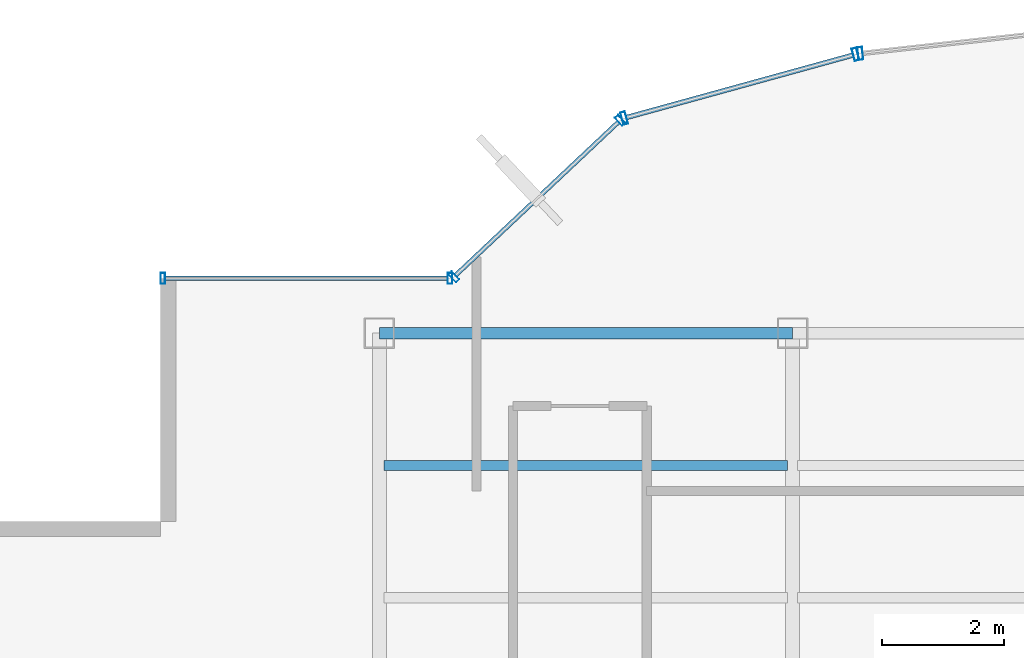
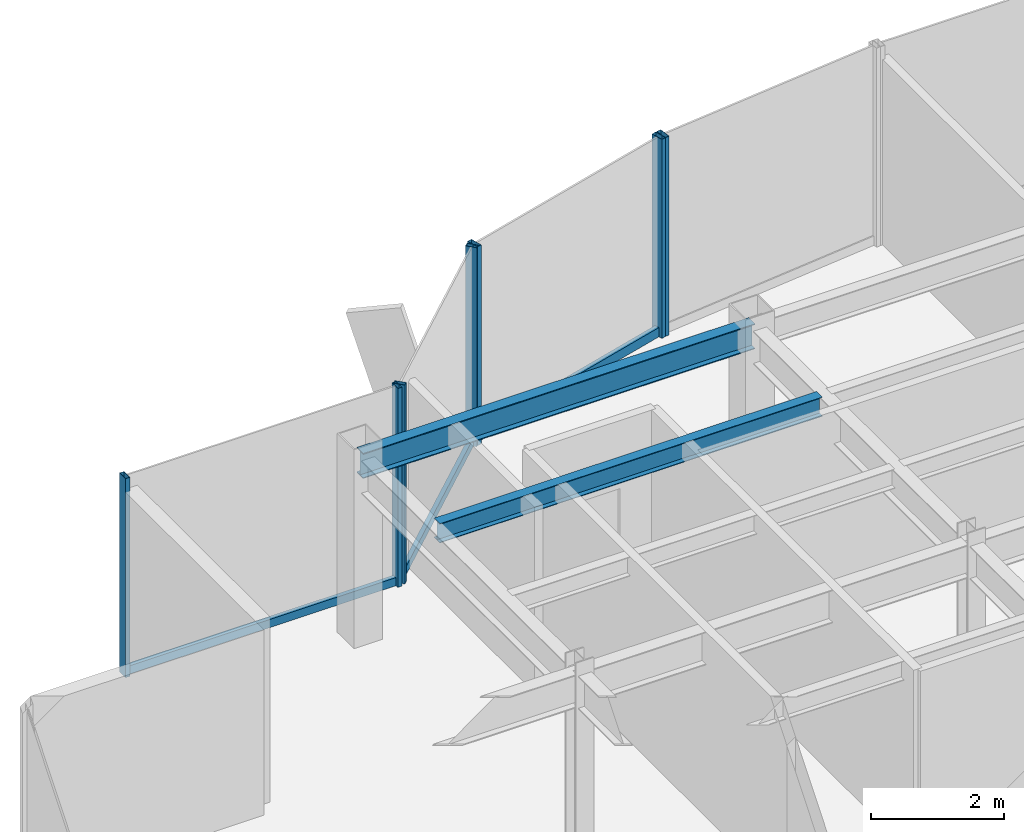
# One storey, part 12 of 22: 10 members, 2 beams, 4 elements without a shape of their own.
"""IFC4 building model written with IfcOpenShell, lengths in metres."""

from ifc_helpers import new_model, si_unit, derived_unit, direction, frame, origin, origin_2d, place, context, subcontext, project, spatial, hollow_rectangle, i_section, extrude, source, transform, mapped, material, material_profile, profile_set, type_object, element, aggregate, save


model = new_model("IFC4")

# Units and contexts
model_context = context("Model", 3, precision=1e-05, world=origin(), true_north=direction((0.0, 1.0)))
body_context = subcontext(model_context, "Body", "Model", "MODEL_VIEW")
ifc_project = project(units=[si_unit("LENGTHUNIT", "METRE"), si_unit("AREAUNIT", "SQUARE_METRE"), si_unit("VOLUMEUNIT", "CUBIC_METRE"), si_unit("PLANEANGLEUNIT", "RADIAN"), si_unit("MASSUNIT", "GRAM", prefix="KILO"), derived_unit("THERMALTRANSMITTANCEUNIT", [(si_unit("POWERUNIT", "WATT"), 1), (si_unit("LENGTHUNIT", "METRE"), -2), (si_unit("THERMODYNAMICTEMPERATUREUNIT", "KELVIN"), -1)])], contexts=[model_context])

# Site, building, storey
site_placement = place(None, origin())
site = spatial("IfcSite", under=ifc_project, at=site_placement, CompositionType="ELEMENT")
building_placement = place(site_placement, origin())
building = spatial("IfcBuilding", under=site, at=building_placement, Name="Skarnbrae Concourse Arena and Tower", CompositionType="ELEMENT")
storey_placement = place(building_placement, frame((0.0, 0.0, 210.5)))
storey = spatial("IfcBuildingStorey", under=building, at=storey_placement, Name="L54", CompositionType="ELEMENT", Elevation=210.5)

# Beams
ifc_material_1 = material(Name="Steel CSA G40.21 350W", Category="steel")
ifc_material_profile_1 = material_profile(ifc_material_1, i_section(OverallWidth=0.19091796875, OverallDepth=0.4599609375, WebThickness=0.010009765625, FlangeThickness=0.01611328125, at=origin_2d()), Name="W460X82")
ifc_profile_set_1 = profile_set([ifc_material_profile_1], Name="Steel CSA G40.21 350W")
beam_type_1 = type_object("IfcBeamType", Name="BM-SPAN-W460X82", PredefinedType="SPANDREL", material=ifc_profile_set_1)
shared_shape_1 = source(origin(), body_context, "Body", "SweptSolid", [
    extrude(i_section(OverallWidth=0.19091796875, OverallDepth=0.4599609375, WebThickness=0.010009765625, FlangeThickness=0.01611328125, at=origin_2d()), origin(), (0.0, 0.0, 1.0), 6.7998046875),
])
beam_1_placement = place(storey_placement, frame((7.60009765625, 34.39990234375, 3.169921875), z_axis=(1.0, 0.0, 0.0), x_axis=(0.0, 1.0, 0.0)))
element("IfcBeam", 1, at=beam_1_placement, inside=storey, type_object=beam_type_1, Name="L54 Perimeter spandrel Y34.4-1", PredefinedType="SPANDREL", context=body_context, shape_type="MappedRepresentation", body=[
    mapped(shared_shape_1, transform((0.0, 0.0, 0.0))),
])
ifc_material_profile_2 = material_profile(ifc_material_1, i_section(OverallWidth=0.1708984375, OverallDepth=0.35498046875, WebThickness=0.007080078125, FlangeThickness=0.01171875, at=origin_2d()), Name="W360X51")
ifc_profile_set_2 = profile_set([ifc_material_profile_2], Name="Steel CSA G40.21 350W")
beam_type_2 = type_object("IfcBeamType", Name="BM-JOIST-W360X51", PredefinedType="JOIST", material=ifc_profile_set_2)
shared_shape_2 = source(origin(), body_context, "Body", "SweptSolid", [
    extrude(i_section(OverallWidth=0.1708984375, OverallDepth=0.35498046875, WebThickness=0.007080078125, FlangeThickness=0.01171875, at=origin_2d()), origin(), (0.0, 0.0, 1.0), 6.64013671875),
])
beam_2_placement = place(storey_placement, frame((7.679931640625, 32.221923828125, 3.222412109375), z_axis=(1.0, 0.0, 0.0), x_axis=(0.0, 1.0, 0.0)))
element("IfcBeam", 2, at=beam_2_placement, inside=storey, type_object=beam_type_2, Name="L54 Secondary floor joist 3.2.1", PredefinedType="JOIST", context=body_context, shape_type="MappedRepresentation", body=[
    mapped(shared_shape_2, transform((0.0, 0.0, 0.0))),
])

# Curtain wall, member
ifc_material_2 = material(Name="Bronze anodised aluminium 6063-T6", Category="aluminium")
curtain_wall_type_1 = type_object("IfcCurtainWallType", Name="CW-SYS-03-PORTAL", PredefinedType="USERDEFINED", material=ifc_material_2)
curtain_wall_1_placement = place(storey_placement, origin())
curtain_wall_1 = element("IfcCurtainWall", 3, at=curtain_wall_1_placement, inside=storey, type_object=curtain_wall_type_1, Name="L54 Unitised curtain wall CW-L54-E12", ObjectType="UNITISED CURTAIN WALL", PredefinedType="USERDEFINED")
ifc_material_profile_3 = material_profile(ifc_material_2, hollow_rectangle(XDim=0.080078125, YDim=0.2099609375, WallThickness=0.00439453125, at=origin_2d()), Name="ALU-MULL-80X210")
ifc_profile_set_3 = profile_set([ifc_material_profile_3], Name="Bronze anodised aluminium 6063-T6")
member_type_1 = type_object("IfcMemberType", Name="CWM-CW-03", PredefinedType="MULLION", material=ifc_profile_set_3)
shared_shape_3 = source(origin(), body_context, "Body", "SweptSolid", [
    extrude(hollow_rectangle(XDim=0.080078125, YDim=0.2099609375, WallThickness=0.00439453125, at=origin_2d()), origin(), (0.0, 0.0, 1.0), 3.64990234375),
])
member_1_placement = place(storey_placement, frame((15.513916015625, 39.001708984375, 0.0), z_axis=(0.0, 0.0, 1.0), x_axis=(-0.993768891873, -0.111460259941, 0.0)))
member_1 = element("IfcMember", 4, at=member_1_placement, type_object=member_type_1, Name="CW-L54-E12 Mullion 2", PredefinedType="MULLION", context=body_context, shape_type="MappedRepresentation", body=[
    mapped(shared_shape_3, transform((0.0, 0.0, 0.0))),
])
aggregate(curtain_wall_1, [member_1])

# Curtain wall, members
curtain_wall_2_placement = place(storey_placement, origin())
curtain_wall_2 = element("IfcCurtainWall", 5, at=curtain_wall_2_placement, inside=storey, type_object=curtain_wall_type_1, Name="L54 Unitised curtain wall CW-L54-E13", ObjectType="UNITISED CURTAIN WALL", PredefinedType="USERDEFINED")
member_2_placement = place(storey_placement, frame((15.435546875, 38.986572265625, 0.0), z_axis=(0.0, 0.0, 1.0), x_axis=(-0.964057388766, -0.265694093207, 0.0)))
member_2 = element("IfcMember", 6, at=member_2_placement, type_object=member_type_1, Name="CW-L54-E13 Mullion 1", PredefinedType="MULLION", context=body_context, shape_type="MappedRepresentation", body=[
    mapped(shared_shape_3, transform((0.0, 0.0, 0.0))),
])
member_3_placement = place(storey_placement, frame((11.62890625, 37.937255859375, 0.0), z_axis=(0.0, 0.0, 1.0), x_axis=(-0.964057388766, -0.265694093207, 0.0)))
member_3 = element("IfcMember", 7, at=member_3_placement, type_object=member_type_1, Name="CW-L54-E13 Mullion 2", PredefinedType="MULLION", context=body_context, shape_type="MappedRepresentation", body=[
    mapped(shared_shape_3, transform((0.0, 0.0, 0.0))),
])

curtain_wall_type_2 = type_object("IfcCurtainWallType", Name="CW-SYS-05-HIGHZONE", PredefinedType="USERDEFINED", material=ifc_material_2)
curtain_wall_3_placement = place(storey_placement, origin())
curtain_wall_3 = element("IfcCurtainWall", 8, at=curtain_wall_3_placement, inside=storey, type_object=curtain_wall_type_2, Name="L54 Unitised curtain wall CW-L54-E14", ObjectType="UNITISED CURTAIN WALL", PredefinedType="USERDEFINED")
ifc_material_profile_4 = material_profile(ifc_material_2, hollow_rectangle(XDim=0.074951171875, YDim=0.179931640625, WallThickness=0.00390625, at=origin_2d()), Name="ALU-MULL-75X180")
ifc_profile_set_4 = profile_set([ifc_material_profile_4], Name="Bronze anodised aluminium 6063-T6")
member_type_2 = type_object("IfcMemberType", Name="CWM-CW-05", PredefinedType="MULLION", material=ifc_profile_set_4)
shared_shape_4 = source(origin(), body_context, "Body", "SweptSolid", [
    extrude(hollow_rectangle(XDim=0.074951171875, YDim=0.179931640625, WallThickness=0.00390625, at=origin_2d()), origin(), (0.0, 0.0, 1.0), 3.64990234375),
])
member_4_placement = place(storey_placement, frame((11.56298828125, 37.90087890625, 0.0), z_axis=(0.0, 0.0, 1.0), x_axis=(-0.728130555214, -0.685438468838, 0.0)))
member_4 = element("IfcMember", 9, at=member_4_placement, type_object=member_type_2, Name="CW-L54-E14 Mullion 1", PredefinedType="MULLION", context=body_context, shape_type="MappedRepresentation", body=[
    mapped(shared_shape_4, transform((0.0, 0.0, 0.0))),
])
member_5_placement = place(storey_placement, frame((8.827392578125, 35.32568359375, 0.0), z_axis=(0.0, 0.0, 1.0), x_axis=(-0.728130555214, -0.685438468838, 0.0)))
member_5 = element("IfcMember", 10, at=member_5_placement, type_object=member_type_2, Name="CW-L54-E14 Mullion 2", PredefinedType="MULLION", context=body_context, shape_type="MappedRepresentation", body=[
    mapped(shared_shape_4, transform((0.0, 0.0, 0.0))),
])

curtain_wall_4_placement = place(storey_placement, origin())
curtain_wall_4 = element("IfcCurtainWall", 11, at=curtain_wall_4_placement, inside=storey, type_object=curtain_wall_type_2, Name="L54 Unitised curtain wall CW-L54-E15", ObjectType="UNITISED CURTAIN WALL", PredefinedType="USERDEFINED")
member_6_placement = place(storey_placement, frame((8.762451171875, 35.300048828125, 0.0), z_axis=(0.0, 0.0, 1.0), x_axis=(-1.0, 0.0, 0.0)))
member_6 = element("IfcMember", 12, at=member_6_placement, type_object=member_type_2, Name="CW-L54-E15 Mullion 1", PredefinedType="MULLION", context=body_context, shape_type="MappedRepresentation", body=[
    mapped(shared_shape_4, transform((0.0, 0.0, 0.0))),
])
member_7_placement = place(storey_placement, frame((4.03759765625, 35.300048828125, 0.0), z_axis=(0.0, 0.0, 1.0), x_axis=(-1.0, 0.0, 0.0)))
member_7 = element("IfcMember", 13, at=member_7_placement, type_object=member_type_2, Name="CW-L54-E15 Mullion 2", PredefinedType="MULLION", context=body_context, shape_type="MappedRepresentation", body=[
    mapped(shared_shape_4, transform((0.0, 0.0, 0.0))),
])
ifc_material_profile_5 = material_profile(ifc_material_2, hollow_rectangle(XDim=0.074951171875, YDim=0.14990234375, WallThickness=0.00390625, at=origin_2d()), Name="ALU-TRAN-75X150")
ifc_profile_set_5 = profile_set([ifc_material_profile_5], Name="Bronze anodised aluminium 6063-T6")
member_type_3 = type_object("IfcMemberType", Name="CWT-CW-05", PredefinedType="USERDEFINED", material=ifc_profile_set_5)
shared_shape_5 = source(origin(), body_context, "Body", "SweptSolid", [
    extrude(hollow_rectangle(XDim=0.074951171875, YDim=0.14990234375, WallThickness=0.00390625, at=origin_2d()), origin(), (0.0, 0.0, 1.0), 4.650146484375),
])
member_8_placement = place(storey_placement, frame((8.72509765625, 35.300048828125, 0.074951171875), z_axis=(-1.0, 0.0, 0.0), x_axis=(0.0, -1.0, 0.0)))
member_8 = element("IfcMember", 14, at=member_8_placement, type_object=member_type_3, Name="CW-L54-E15 Transom 1", ObjectType="TRANSOM", PredefinedType="USERDEFINED", context=body_context, shape_type="MappedRepresentation", body=[
    mapped(shared_shape_5, transform((0.0, 0.0, 0.0))),
])
aggregate(curtain_wall_4, [member_6, member_7, member_8])

# Member
shared_shape_6 = source(origin(), body_context, "Body", "SweptSolid", [
    extrude(hollow_rectangle(XDim=0.074951171875, YDim=0.14990234375, WallThickness=0.00390625, at=origin_2d()), origin(), (0.0, 0.0, 1.0), 3.68212890625),
])
member_9_placement = place(storey_placement, frame((11.53564453125, 37.875244140625, 0.074951171875), z_axis=(-0.728133808476, -0.685435012933, 0.0), x_axis=(0.685435012933, -0.728133808476, 0.0)))
member_9 = element("IfcMember", 15, at=member_9_placement, type_object=member_type_3, Name="CW-L54-E14 Transom 1", ObjectType="TRANSOM", PredefinedType="USERDEFINED", context=body_context, shape_type="MappedRepresentation", body=[
    mapped(shared_shape_6, transform((0.0, 0.0, 0.0))),
])

aggregate(curtain_wall_3, [member_4, member_5, member_9])

ifc_material_profile_6 = material_profile(ifc_material_2, hollow_rectangle(XDim=0.080078125, YDim=0.169921875, WallThickness=0.00439453125, at=origin_2d()), Name="ALU-TRAN-80X170")
ifc_profile_set_6 = profile_set([ifc_material_profile_6], Name="Bronze anodised aluminium 6063-T6")
member_type_4 = type_object("IfcMemberType", Name="CWT-CW-03", PredefinedType="USERDEFINED", material=ifc_profile_set_6)
shared_shape_7 = source(origin(), body_context, "Body", "SweptSolid", [
    extrude(hollow_rectangle(XDim=0.080078125, YDim=0.169921875, WallThickness=0.00439453125, at=origin_2d()), origin(), (0.0, 0.0, 1.0), 3.86865234375),
])
member_10_placement = place(storey_placement, frame((15.397216796875, 38.975830078125, 0.0849609375), z_axis=(-0.964062872218, -0.265674195983, 0.0), x_axis=(0.265674195983, -0.964062872218, 0.0)))
member_10 = element("IfcMember", 16, at=member_10_placement, type_object=member_type_4, Name="CW-L54-E13 Transom 1", ObjectType="TRANSOM", PredefinedType="USERDEFINED", context=body_context, shape_type="MappedRepresentation", body=[
    mapped(shared_shape_7, transform((0.0, 0.0, 0.0))),
])

aggregate(curtain_wall_2, [member_2, member_3, member_10])

save(model, "model.ifc")
